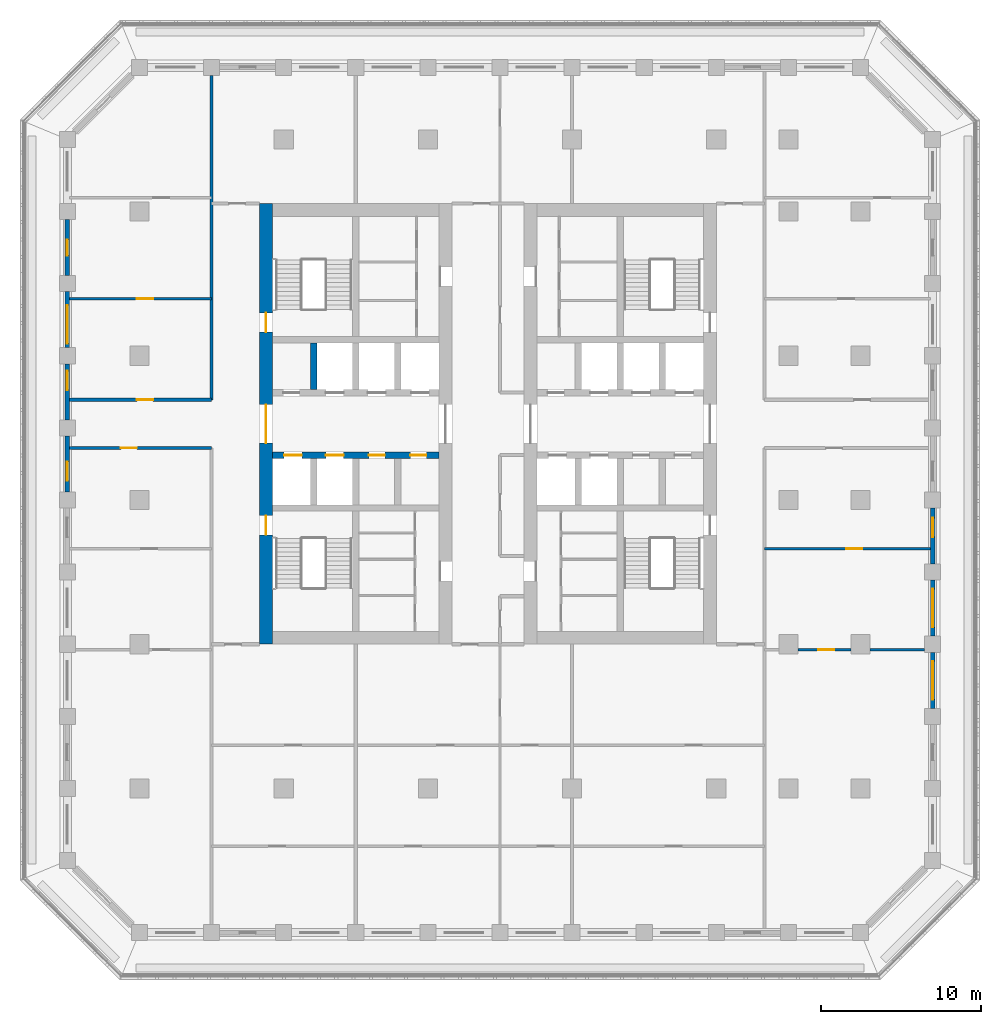
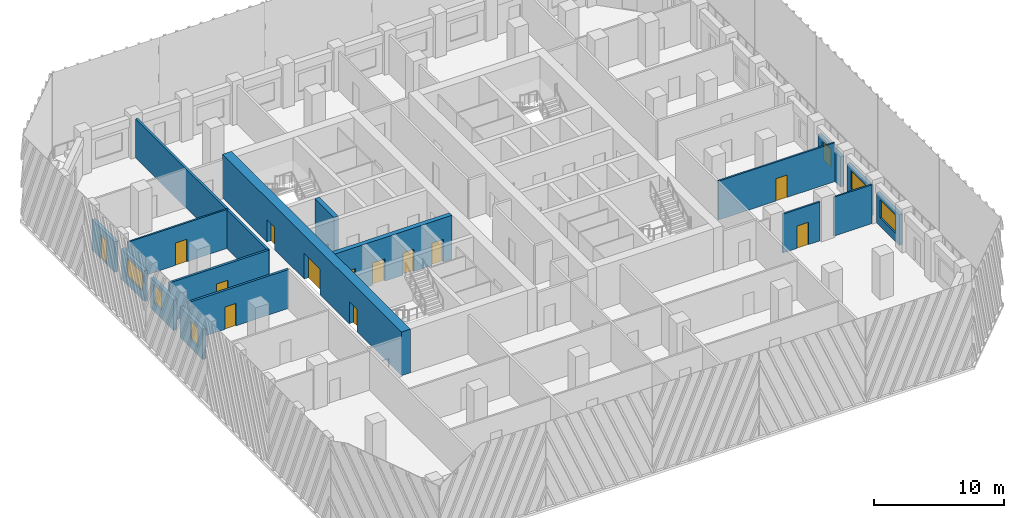
# One storey, part 5 of 17: 17 walls, 13 doors, 6 windows, 19 openings.
"""IFC4 building model written with IfcOpenShell, lengths in metres."""

from ifc_helpers import new_model, si_unit, direction, frame, frame_2d, origin, place, context, subcontext, project, spatial, rectangle, extrude, material, layer, layer_set, type_object, element, fill, save


model = new_model("IFC4")

# Units and contexts
model_context = context("Model", 3, precision=1e-05, world=origin(), true_north=direction((0.0, 1.0)))
body_context = subcontext(model_context, "Body", "Model", "MODEL_VIEW")
ifc_project = project(units=[si_unit("LENGTHUNIT", "METRE"), si_unit("AREAUNIT", "SQUARE_METRE"), si_unit("VOLUMEUNIT", "CUBIC_METRE"), si_unit("PLANEANGLEUNIT", "RADIAN"), si_unit("MASSUNIT", "GRAM", prefix="KILO")], contexts=[model_context])

# Site, building, storey
site_placement = place(None, origin())
site = spatial("IfcSite", under=ifc_project, at=site_placement, CompositionType="ELEMENT")
building_placement = place(site_placement, origin())
building = spatial("IfcBuilding", under=site, at=building_placement, Name="Corbel Stack Research Tower", CompositionType="ELEMENT")
storey_placement = place(building_placement, frame((0.0, 0.0, 207.89990234375)))
storey = spatial("IfcBuildingStorey", under=building, at=storey_placement, Name="L47", CompositionType="ELEMENT", Elevation=207.89990234375)

# Wall, openings, doors
ifc_material_1 = material(Name="Concrete C60/75", Category="concrete")
ifc_layer_1 = layer(ifc_material_1, 0.39990234375)
ifc_layer_set_1 = layer_set([ifc_layer_1], Name="Concrete C60/75")
wall_type_1 = type_object("IfcWallType", Name="CW-400-60", PredefinedType="SHEAR", material=ifc_layer_set_1)
wall_1_placement = place(storey_placement, frame((-9.699951171875, 2.800048828125, 0.0), z_axis=(0.0, 0.0, 1.0), x_axis=(1.0, 0.0, 0.0)))
wall_1 = element("IfcWall", 1, at=wall_1_placement, inside=storey, type_object=wall_type_1, Name="West core wall, lobby south L47", PredefinedType="SHEAR", context=body_context, shape_type="SweptSolid", body=[
    extrude(rectangle(XDim=10.39990234375, YDim=0.39990234375, at=frame_2d((5.199951171875, 0.0))), origin(), (0.0, 0.0, 1.0), 4.10009765625),
])
opening_1_placement = place(wall_1_placement, frame((0.737548828125, 0.0, 0.0)))
opening_1 = element("IfcOpeningElement", 2, at=opening_1_placement, cuts=wall_1, Name="Opening LD-FS1", PredefinedType="OPENING", context=body_context, shape_type="SweptSolid", body=[
    extrude(rectangle(XDim=1.10009765625, YDim=2.10009765625, at=frame_2d((0.550048828125, 1.050048828125))), frame((0.0, 0.2099609375, 0.0), z_axis=(0.0, -1.0, 0.0), x_axis=(1.0, 0.0, 0.0)), (0.0, 0.0, 1.0), 0.419921875),
])
opening_2_placement = place(wall_1_placement, frame((3.33740234375, 0.0, 0.0)))
opening_2 = element("IfcOpeningElement", 3, at=opening_2_placement, cuts=wall_1, Name="Opening LD-GL1", PredefinedType="OPENING", context=body_context, shape_type="SweptSolid", body=[
    extrude(rectangle(XDim=1.10009765625, YDim=2.10009765625, at=frame_2d((0.550048828125, 1.050048828125))), frame((0.0, 0.2099609375, 0.0), z_axis=(0.0, -1.0, 0.0), x_axis=(1.0, 0.0, 0.0)), (0.0, 0.0, 1.0), 0.419921875),
])
opening_3_placement = place(wall_1_placement, frame((6.012451171875, 0.0, 0.0)))
opening_3 = element("IfcOpeningElement", 4, at=opening_3_placement, cuts=wall_1, Name="Opening CR-W42-S3", PredefinedType="OPENING", context=body_context, shape_type="SweptSolid", body=[
    extrude(rectangle(XDim=1.0, YDim=2.10009765625, at=frame_2d((0.5, 1.050048828125))), frame((0.0, 0.2099609375, 0.0), z_axis=(0.0, -1.0, 0.0), x_axis=(1.0, 0.0, 0.0)), (0.0, 0.0, 1.0), 0.419921875),
])
opening_4_placement = place(wall_1_placement, frame((8.612548828125, 0.0, 0.0)))
opening_4 = element("IfcOpeningElement", 5, at=opening_4_placement, cuts=wall_1, Name="Opening CR-W42-S4", PredefinedType="OPENING", context=body_context, shape_type="SweptSolid", body=[
    extrude(rectangle(XDim=1.0, YDim=2.10009765625, at=frame_2d((0.5, 1.050048828125))), frame((0.0, 0.2099609375, 0.0), z_axis=(0.0, -1.0, 0.0), x_axis=(1.0, 0.0, 0.0)), (0.0, 0.0, 1.0), 0.419921875),
])
ifc_material_2 = material(Name="Stainless steel landing door", Category="steel")
door_type_1 = type_object("IfcDoorType", Name="Lift landing door 1100 x 2100", OperationType="DOUBLE_DOOR_SLIDING", PredefinedType="DOOR", material=ifc_material_2)
door_1_placement = place(opening_1_placement, origin())
door_1 = element("IfcDoor", 6, at=door_1_placement, inside=storey, type_object=door_type_1, Name="Landing door FS1", OperationType="DOUBLE_DOOR_SLIDING", OverallHeight=2.10009765625, OverallWidth=1.10009765625, PredefinedType="DOOR", context=body_context, shape_type="SweptSolid", body=[
    extrude(rectangle(XDim=1.10009765625, YDim=2.10009765625, at=frame_2d((0.550048828125, 1.050048828125))), frame((0.0, 0.02490234375, 0.0), z_axis=(0.0, -1.0, 0.0), x_axis=(1.0, 0.0, 0.0)), (0.0, 0.0, 1.0), 0.050048828125),
])
fill(opening_1, door_1)
door_2_placement = place(opening_2_placement, origin())
door_2 = element("IfcDoor", 7, at=door_2_placement, inside=storey, type_object=door_type_1, Name="Landing door GL1", OperationType="DOUBLE_DOOR_SLIDING", OverallHeight=2.10009765625, OverallWidth=1.10009765625, PredefinedType="DOOR", context=body_context, shape_type="SweptSolid", body=[
    extrude(rectangle(XDim=1.10009765625, YDim=2.10009765625, at=frame_2d((0.550048828125, 1.050048828125))), frame((0.0, 0.02490234375, 0.0), z_axis=(0.0, -1.0, 0.0), x_axis=(1.0, 0.0, 0.0)), (0.0, 0.0, 1.0), 0.050048828125),
])
fill(opening_2, door_2)
ifc_material_3 = material(Name="Painted steel door", Category="steel")
door_type_2 = type_object("IfcDoorType", Name="Service door 1000 x 2100 FD60 left hand", OperationType="SINGLE_SWING_LEFT", PredefinedType="DOOR", material=ifc_material_3)
door_3_placement = place(opening_3_placement, origin())
door_3 = element("IfcDoor", 8, at=door_3_placement, inside=storey, type_object=door_type_2, Name="Laboratory consumables store door W core", OperationType="SINGLE_SWING_LEFT", OverallHeight=2.10009765625, OverallWidth=1.0, PredefinedType="DOOR", context=body_context, shape_type="SweptSolid", body=[
    extrude(rectangle(XDim=1.0, YDim=2.10009765625, at=frame_2d((0.5, 1.050048828125))), frame((0.0, 0.02490234375, 0.0), z_axis=(0.0, -1.0, 0.0), x_axis=(1.0, 0.0, 0.0)), (0.0, 0.0, 1.0), 0.050048828125),
])
fill(opening_3, door_3)
ifc_material_4 = material(Name="Painted steel door", Category="steel")
door_type_3 = type_object("IfcDoorType", Name="Service door 1000 x 2100 FD60 right hand", OperationType="SINGLE_SWING_RIGHT", PredefinedType="DOOR", material=ifc_material_4)
door_4_placement = place(opening_4_placement, origin())
door_4 = element("IfcDoor", 9, at=door_4_placement, inside=storey, type_object=door_type_3, Name="Cleaner's store door W core", OperationType="SINGLE_SWING_RIGHT", OverallHeight=2.10009765625, OverallWidth=1.0, PredefinedType="DOOR", context=body_context, shape_type="SweptSolid", body=[
    extrude(rectangle(XDim=1.0, YDim=2.10009765625, at=frame_2d((0.5, 1.050048828125))), frame((0.0, 0.02490234375, 0.0), z_axis=(0.0, -1.0, 0.0), x_axis=(1.0, 0.0, 0.0)), (0.0, 0.0, 1.0), 0.050048828125),
])
fill(opening_4, door_4)

# Wall
wall_2_placement = place(storey_placement, frame((-7.125, 6.89990234375, 0.0), z_axis=(0.0, 0.0, 1.0), x_axis=(0.0, 1.0, 0.0)))
element("IfcWall", 10, at=wall_2_placement, inside=storey, type_object=wall_type_1, Name="West core wall, north shaft 1 L47", PredefinedType="SHEAR", context=body_context, shape_type="SweptSolid", body=[
    extrude(rectangle(XDim=2.900146484375, YDim=0.39990234375, at=frame_2d((1.4501953125, 0.0))), origin(), (0.0, 0.0, 1.0), 4.10009765625),
])

# Wall, openings, doors
ifc_material_5 = material(Name="Concrete C60/75", Category="concrete")
ifc_layer_2 = layer(ifc_material_5, 0.800048828125)
ifc_layer_set_2 = layer_set([ifc_layer_2], Name="Concrete C60/75")
wall_type_2 = type_object("IfcWallType", Name="CW-800-60", PredefinedType="SHEAR", material=ifc_layer_set_2)
wall_3_placement = place(storey_placement, frame((-10.10009765625, -9.0, 0.0), z_axis=(0.0, 0.0, 1.0), x_axis=(0.0, 1.0, 0.0)))
wall_3 = element("IfcWall", 11, at=wall_3_placement, inside=storey, type_object=wall_type_2, Name="West core wall, west face L47", PredefinedType="SHEAR", context=body_context, shape_type="SweptSolid", body=[
    extrude(rectangle(XDim=27.5, YDim=0.800048828125, at=frame_2d((13.75, 0.0))), origin(), (0.0, 0.0, 1.0), 4.10009765625),
])
opening_5_placement = place(wall_3_placement, frame((12.550048828125, 0.0, 0.0)))
opening_5 = element("IfcOpeningElement", 12, at=opening_5_placement, cuts=wall_3, Name="Opening CD-W-W", PredefinedType="OPENING", context=body_context, shape_type="SweptSolid", body=[
    extrude(rectangle(XDim=2.39990234375, YDim=2.39990234375, at=frame_2d((1.199951171875, 1.199951171875))), frame((0.0, 0.409912109375, 0.0), z_axis=(0.0, -1.0, 0.0), x_axis=(1.0, 0.0, 0.0)), (0.0, 0.0, 1.0), 0.820068359375),
])
opening_6_placement = place(wall_3_placement, frame((6.824951171875, 0.0, 0.0)))
opening_6 = element("IfcOpeningElement", 13, at=opening_6_placement, cuts=wall_3, Name="Opening SD-ST-W1", PredefinedType="OPENING", context=body_context, shape_type="SweptSolid", body=[
    extrude(rectangle(XDim=1.199951171875, YDim=2.10009765625, at=frame_2d((0.60009765625, 1.050048828125))), frame((0.0, 0.409912109375, 0.0), z_axis=(0.0, -1.0, 0.0), x_axis=(1.0, 0.0, 0.0)), (0.0, 0.0, 1.0), 0.820068359375),
])
opening_7_placement = place(wall_3_placement, frame((19.47509765625, 0.0, 0.0)))
opening_7 = element("IfcOpeningElement", 14, at=opening_7_placement, cuts=wall_3, Name="Opening SD-ST-W2", PredefinedType="OPENING", context=body_context, shape_type="SweptSolid", body=[
    extrude(rectangle(XDim=1.199951171875, YDim=2.10009765625, at=frame_2d((0.60009765625, 1.050048828125))), frame((0.0, 0.409912109375, 0.0), z_axis=(0.0, -1.0, 0.0), x_axis=(1.0, 0.0, 0.0)), (0.0, 0.0, 1.0), 0.820068359375),
])
ifc_material_6 = material(Name="Painted steel fire door", Category="steel")
door_type_4 = type_object("IfcDoorType", Name="Lobby door pair 2400 x 2400 FD30S", OperationType="DOUBLE_DOOR_DOUBLE_SWING", PredefinedType="DOOR", material=ifc_material_6)
door_5_placement = place(opening_5_placement, origin())
door_5 = element("IfcDoor", 15, at=door_5_placement, inside=storey, type_object=door_type_4, Name="Lift lobby door W core W", OperationType="DOUBLE_DOOR_DOUBLE_SWING", OverallHeight=2.39990234375, OverallWidth=2.39990234375, PredefinedType="DOOR", context=body_context, shape_type="SweptSolid", body=[
    extrude(rectangle(XDim=2.39990234375, YDim=2.39990234375, at=frame_2d((1.199951171875, 1.199951171875))), frame((0.0, 0.02490234375, 0.0), z_axis=(0.0, -1.0, 0.0), x_axis=(1.0, 0.0, 0.0)), (0.0, 0.0, 1.0), 0.050048828125),
])
fill(opening_5, door_5)
ifc_material_7 = material(Name="Painted steel fire door", Category="steel")
door_type_5 = type_object("IfcDoorType", Name="Stair door 1200 x 2100 FD90 left hand", OperationType="SINGLE_SWING_LEFT", PredefinedType="DOOR", material=ifc_material_7)
door_6_placement = place(opening_6_placement, origin())
door_6 = element("IfcDoor", 16, at=door_6_placement, inside=storey, type_object=door_type_5, Name="Stair door ST-W1", OperationType="SINGLE_SWING_LEFT", OverallHeight=2.10009765625, OverallWidth=1.199951171875, PredefinedType="DOOR", context=body_context, shape_type="SweptSolid", body=[
    extrude(rectangle(XDim=1.199951171875, YDim=2.10009765625, at=frame_2d((0.60009765625, 1.050048828125))), frame((0.0, 0.02490234375, 0.0), z_axis=(0.0, -1.0, 0.0), x_axis=(1.0, 0.0, 0.0)), (0.0, 0.0, 1.0), 0.050048828125),
])
fill(opening_6, door_6)
door_7_placement = place(opening_7_placement, origin())
door_7 = element("IfcDoor", 17, at=door_7_placement, inside=storey, type_object=door_type_5, Name="Stair door ST-W2", OperationType="SINGLE_SWING_LEFT", OverallHeight=2.10009765625, OverallWidth=1.199951171875, PredefinedType="DOOR", context=body_context, shape_type="SweptSolid", body=[
    extrude(rectangle(XDim=1.199951171875, YDim=2.10009765625, at=frame_2d((0.60009765625, 1.050048828125))), frame((0.0, 0.02490234375, 0.0), z_axis=(0.0, -1.0, 0.0), x_axis=(1.0, 0.0, 0.0)), (0.0, 0.0, 1.0), 0.050048828125),
])
fill(opening_7, door_7)

# Wall
ifc_material_8 = material(Name="Fire-rated gypsum board partition on steel studs", Category="steel")
ifc_layer_3 = layer(ifc_material_8, 0.199951171875)
ifc_layer_set_3 = layer_set([ifc_layer_3], Name="Fire-rated gypsum board partition on steel studs")
wall_type_3 = type_object("IfcWallType", Name="Fire-rated partition 200 EI 60", PredefinedType="PARTITIONING", material=ifc_layer_set_3)
wall_4_placement = place(storey_placement, frame((-13.5, 6.25, 0.0), z_axis=(0.0, 0.0, 1.0), x_axis=(0.0, 1.0, 0.0)))
element("IfcWall", 18, at=wall_4_placement, inside=storey, type_object=wall_type_3, Name="Partition L47-002", PredefinedType="PARTITIONING", context=body_context, shape_type="SweptSolid", body=[
    extrude(rectangle(XDim=20.25, YDim=0.199951171875, at=frame_2d((10.125, 0.0))), origin(), (0.0, 0.0, 1.0), 3.650146484375),
])

# Wall, opening, door
wall_5_placement = place(storey_placement, frame((-13.5, 3.25, 0.0), z_axis=(0.0, 0.0, 1.0), x_axis=(-1.0, 0.0, 0.0)))
wall_5 = element("IfcWall", 19, at=wall_5_placement, inside=storey, type_object=wall_type_3, Name="Partition L47-031", PredefinedType="PARTITIONING", context=body_context, shape_type="SweptSolid", body=[
    extrude(rectangle(XDim=8.85009765625, YDim=0.199951171875, at=frame_2d((4.425048828125, 0.0))), origin(), (0.0, 0.0, 1.0), 3.650146484375),
])
opening_8_placement = place(wall_5_placement, frame((4.64990234375, 0.0, 0.0)))
opening_8 = element("IfcOpeningElement", 20, at=opening_8_placement, cuts=wall_5, Name="Opening B6V1-016", PredefinedType="OPENING", context=body_context, shape_type="SweptSolid", body=[
    extrude(rectangle(XDim=1.0, YDim=2.10009765625, at=frame_2d((0.5, 1.050048828125))), frame((0.0, 0.10986328125, 0.0), z_axis=(0.0, -1.0, 0.0), x_axis=(1.0, 0.0, 0.0)), (0.0, 0.0, 1.0), 0.219970703125),
])
ifc_material_9 = material(Name="Painted steel fire door", Category="steel")
door_type_6 = type_object("IfcDoorType", Name="Fire door FD30S 1000 x 2100", OperationType="NOTDEFINED", PredefinedType="DOOR", material=ifc_material_9)
door_8_placement = place(opening_8_placement, origin())
door_8 = element("IfcDoor", 21, at=door_8_placement, inside=storey, type_object=door_type_6, Name="Door B6V1-016", OperationType="SINGLE_SWING_RIGHT", OverallHeight=2.10009765625, OverallWidth=1.0, PredefinedType="DOOR", context=body_context, shape_type="SweptSolid", body=[
    extrude(rectangle(XDim=1.0, YDim=2.10009765625, at=frame_2d((0.5, 1.050048828125))), frame((0.0, 0.02490234375, 0.0), z_axis=(0.0, -1.0, 0.0), x_axis=(1.0, 0.0, 0.0)), (0.0, 0.0, 1.0), 0.050048828125),
])
fill(opening_8, door_8)

wall_6_placement = place(storey_placement, frame((-22.35009765625, 6.25, 0.0), z_axis=(0.0, 0.0, 1.0), x_axis=(1.0, 0.0, 0.0)))
wall_6 = element("IfcWall", 22, at=wall_6_placement, inside=storey, type_object=wall_type_3, Name="Partition L47-033", PredefinedType="PARTITIONING", context=body_context, shape_type="SweptSolid", body=[
    extrude(rectangle(XDim=8.85009765625, YDim=0.199951171875, at=frame_2d((4.425048828125, 0.0))), origin(), (0.0, 0.0, 1.0), 3.650146484375),
])
opening_9_placement = place(wall_6_placement, frame((4.199951171875, 0.0, 0.0)))
opening_9 = element("IfcOpeningElement", 23, at=opening_9_placement, cuts=wall_6, Name="Opening B6V1-023", PredefinedType="OPENING", context=body_context, shape_type="SweptSolid", body=[
    extrude(rectangle(XDim=1.0, YDim=2.10009765625, at=frame_2d((0.5, 1.050048828125))), frame((0.0, 0.10986328125, 0.0), z_axis=(0.0, -1.0, 0.0), x_axis=(1.0, 0.0, 0.0)), (0.0, 0.0, 1.0), 0.219970703125),
])
door_9_placement = place(opening_9_placement, origin())
door_9 = element("IfcDoor", 24, at=door_9_placement, inside=storey, type_object=door_type_6, Name="Door B6V1-023", OperationType="SINGLE_SWING_RIGHT", OverallHeight=2.10009765625, OverallWidth=1.0, PredefinedType="DOOR", context=body_context, shape_type="SweptSolid", body=[
    extrude(rectangle(XDim=1.0, YDim=2.10009765625, at=frame_2d((0.5, 1.050048828125))), frame((0.0, 0.02490234375, 0.0), z_axis=(0.0, -1.0, 0.0), x_axis=(1.0, 0.0, 0.0)), (0.0, 0.0, 1.0), 0.050048828125),
])
fill(opening_9, door_9)

ifc_material_10 = material(Name="Gypsum board partition on steel studs", Category="steel")
ifc_layer_4 = layer(ifc_material_10, 0.14990234375)
ifc_layer_set_4 = layer_set([ifc_layer_4], Name="Gypsum board partition on steel studs")
wall_type_4 = type_object("IfcWallType", Name="Partition 150", PredefinedType="PARTITIONING", material=ifc_layer_set_4)
wall_7_placement = place(storey_placement, frame((26.39990234375, -9.35009765625, 0.0), z_axis=(0.0, 0.0, 1.0), x_axis=(-1.0, 0.0, 0.0)))
wall_7 = element("IfcWall", 25, at=wall_7_placement, inside=storey, type_object=wall_type_4, Name="Partition L47-021", PredefinedType="PARTITIONING", context=body_context, shape_type="SweptSolid", body=[
    extrude(rectangle(XDim=3.2998046875, YDim=0.14990234375, at=frame_2d((1.64990234375, 0.0))), origin(), (0.0, 0.0, 1.0), 3.650146484375),
])
opening_10_placement = place(wall_7_placement, frame((1.050048828125, 0.0, 0.0)))
opening_10 = element("IfcOpeningElement", 26, at=opening_10_placement, cuts=wall_7, Name="Opening B6V1-010", PredefinedType="OPENING", context=body_context, shape_type="SweptSolid", body=[
    extrude(rectangle(XDim=1.0, YDim=2.10009765625, at=frame_2d((0.5, 1.050048828125))), frame((0.0, 0.0849609375, 0.0), z_axis=(0.0, -1.0, 0.0), x_axis=(1.0, 0.0, 0.0)), (0.0, 0.0, 1.0), 0.169921875),
])
ifc_material_11 = material(Name="Painted timber door", Category="wood")
door_type_7 = type_object("IfcDoorType", Name="Single door 1000 x 2100", OperationType="NOTDEFINED", PredefinedType="DOOR", material=ifc_material_11)
door_10_placement = place(opening_10_placement, origin())
door_10 = element("IfcDoor", 27, at=door_10_placement, inside=storey, type_object=door_type_7, Name="Door B6V1-010", OperationType="SINGLE_SWING_LEFT", OverallHeight=2.10009765625, OverallWidth=1.0, PredefinedType="DOOR", context=body_context, shape_type="SweptSolid", body=[
    extrude(rectangle(XDim=1.0, YDim=2.10009765625, at=frame_2d((0.5, 1.050048828125))), frame((0.0, 0.02490234375, 0.0), z_axis=(0.0, -1.0, 0.0), x_axis=(1.0, 0.0, 0.0)), (0.0, 0.0, 1.0), 0.050048828125),
])
fill(opening_10, door_10)

# Wall
wall_8_placement = place(storey_placement, frame((27.60009765625, -9.35009765625, 0.0), z_axis=(0.0, 0.0, 1.0), x_axis=(1.0, 0.0, 0.0)))
element("IfcWall", 28, at=wall_8_placement, inside=storey, type_object=wall_type_4, Name="Partition L47-022", PredefinedType="PARTITIONING", context=body_context, shape_type="SweptSolid", body=[
    extrude(rectangle(XDim=3.39990234375, YDim=0.14990234375, at=frame_2d((1.699951171875, 0.0))), origin(), (0.0, 0.0, 1.0), 3.650146484375),
])

# Wall, opening, door
wall_9_placement = place(storey_placement, frame((31.35009765625, -3.050048828125, 0.0), z_axis=(0.0, 0.0, 1.0), x_axis=(-1.0, 0.0, 0.0)))
wall_9 = element("IfcWall", 29, at=wall_9_placement, inside=storey, type_object=wall_type_4, Name="Partition L47-029", PredefinedType="PARTITIONING", context=body_context, shape_type="SweptSolid", body=[
    extrude(rectangle(XDim=10.35009765625, YDim=0.14990234375, at=frame_2d((5.175048828125, 0.0))), origin(), (0.0, 0.0, 1.0), 3.650146484375),
])
opening_11_placement = place(wall_9_placement, frame((4.25, 0.0, 0.0)))
opening_11 = element("IfcOpeningElement", 30, at=opening_11_placement, cuts=wall_9, Name="Opening B6V1-015", PredefinedType="OPENING", context=body_context, shape_type="SweptSolid", body=[
    extrude(rectangle(XDim=1.0, YDim=2.10009765625, at=frame_2d((0.5, 1.050048828125))), frame((0.0, 0.0849609375, 0.0), z_axis=(0.0, -1.0, 0.0), x_axis=(1.0, 0.0, 0.0)), (0.0, 0.0, 1.0), 0.169921875),
])
door_11_placement = place(opening_11_placement, origin())
door_11 = element("IfcDoor", 31, at=door_11_placement, inside=storey, type_object=door_type_7, Name="Door B6V1-015", OperationType="SINGLE_SWING_LEFT", OverallHeight=2.10009765625, OverallWidth=1.0, PredefinedType="DOOR", context=body_context, shape_type="SweptSolid", body=[
    extrude(rectangle(XDim=1.0, YDim=2.10009765625, at=frame_2d((0.5, 1.050048828125))), frame((0.0, 0.02490234375, 0.0), z_axis=(0.0, -1.0, 0.0), x_axis=(1.0, 0.0, 0.0)), (0.0, 0.0, 1.0), 0.050048828125),
])
fill(opening_11, door_11)

wall_10_placement = place(storey_placement, frame((-22.35009765625, 12.550048828125, 0.0), z_axis=(0.0, 0.0, 1.0), x_axis=(1.0, 0.0, 0.0)))
wall_10 = element("IfcWall", 32, at=wall_10_placement, inside=storey, type_object=wall_type_4, Name="Partition L47-036", PredefinedType="PARTITIONING", context=body_context, shape_type="SweptSolid", body=[
    extrude(rectangle(XDim=8.85009765625, YDim=0.14990234375, at=frame_2d((4.425048828125, 0.0))), origin(), (0.0, 0.0, 1.0), 3.650146484375),
])
opening_12_placement = place(wall_10_placement, frame((4.199951171875, 0.0, 0.0)))
opening_12 = element("IfcOpeningElement", 33, at=opening_12_placement, cuts=wall_10, Name="Opening B6V1-025", PredefinedType="OPENING", context=body_context, shape_type="SweptSolid", body=[
    extrude(rectangle(XDim=1.0, YDim=2.10009765625, at=frame_2d((0.5, 1.050048828125))), frame((0.0, 0.0849609375, 0.0), z_axis=(0.0, -1.0, 0.0), x_axis=(1.0, 0.0, 0.0)), (0.0, 0.0, 1.0), 0.169921875),
])
door_12_placement = place(opening_12_placement, origin())
door_12 = element("IfcDoor", 34, at=door_12_placement, inside=storey, type_object=door_type_7, Name="Door B6V1-025", OperationType="SINGLE_SWING_RIGHT", OverallHeight=2.10009765625, OverallWidth=1.0, PredefinedType="DOOR", context=body_context, shape_type="SweptSolid", body=[
    extrude(rectangle(XDim=1.0, YDim=2.10009765625, at=frame_2d((0.5, 1.050048828125))), frame((0.0, 0.02490234375, 0.0), z_axis=(0.0, -1.0, 0.0), x_axis=(1.0, 0.0, 0.0)), (0.0, 0.0, 1.0), 0.050048828125),
])
fill(opening_12, door_12)

# Wall, opening, window
ifc_material_12 = material(Name="Concrete C45/55", Category="concrete")
ifc_layer_5 = layer(ifc_material_12, 0.300048828125)
ifc_layer_set_5 = layer_set([ifc_layer_5], Name="Concrete C45/55")
wall_type_5 = type_object("IfcWallType", Name="Terracotta-faced concrete wall 300", PredefinedType="SOLIDWALL", material=ifc_layer_set_5)
wall_11_placement = place(storey_placement, frame((31.5, -9.5, 0.0), z_axis=(0.0, 0.0, 1.0), x_axis=(0.0, -1.0, 0.0)))
wall_11 = element("IfcWall", 35, at=wall_11_placement, inside=storey, type_object=wall_type_5, Name="Facade wall L47 E03", PredefinedType="SOLIDWALL", context=body_context, shape_type="SweptSolid", body=[
    extrude(rectangle(XDim=3.5, YDim=0.300048828125, at=frame_2d((1.75, 0.0))), origin(), (0.0, 0.0, 1.0), 2.85009765625),
])
opening_13_placement = place(wall_11_placement, frame((0.550048828125, 0.0, 0.800048828125)))
opening_13 = element("IfcOpeningElement", 36, at=opening_13_placement, cuts=wall_11, Name="Opening W1", PredefinedType="OPENING", context=body_context, shape_type="SweptSolid", body=[
    extrude(rectangle(XDim=2.39990234375, YDim=1.699951171875, at=frame_2d((1.199951171875, 0.85009765625))), frame((0.0, 0.159912109375, 0.0), z_axis=(0.0, -1.0, 0.0), x_axis=(1.0, 0.0, 0.0)), (0.0, 0.0, 1.0), 0.320068359375),
])
ifc_material_13 = material(Name="Aluminium frame, clear double glazing", Category="aluminium")
window_type_1 = type_object("IfcWindowType", Name="Window W1 2400 x 1700", PartitioningType="SINGLE_PANEL", PredefinedType="WINDOW", material=ifc_material_13)
window_1_placement = place(opening_13_placement, origin())
window_1 = element("IfcWindow", 37, at=window_1_placement, inside=storey, type_object=window_type_1, Name="Window W1 L47 E03", OverallHeight=1.699951171875, OverallWidth=2.39990234375, PartitioningType="SINGLE_PANEL", PredefinedType="WINDOW", context=body_context, shape_type="SweptSolid", body=[
    extrude(rectangle(XDim=2.39990234375, YDim=1.699951171875, at=frame_2d((1.199951171875, 0.85009765625))), frame((0.0, 0.030029296875, 0.0), z_axis=(0.0, -1.0, 0.0), x_axis=(1.0, 0.0, 0.0)), (0.0, 0.0, 1.0), 0.06005859375),
])
fill(opening_13, window_1)

wall_12_placement = place(storey_placement, frame((31.5, -5.0, 0.0), z_axis=(0.0, 0.0, 1.0), x_axis=(0.0, -1.0, 0.0)))
wall_12 = element("IfcWall", 38, at=wall_12_placement, inside=storey, type_object=wall_type_5, Name="Facade wall L47 E04", PredefinedType="SOLIDWALL", context=body_context, shape_type="SweptSolid", body=[
    extrude(rectangle(XDim=3.5, YDim=0.300048828125, at=frame_2d((1.75, 0.0))), origin(), (0.0, 0.0, 1.0), 2.85009765625),
])
opening_14_placement = place(wall_12_placement, frame((0.550048828125, 0.0, 0.800048828125)))
opening_14 = element("IfcOpeningElement", 39, at=opening_14_placement, cuts=wall_12, Name="Opening W1", PredefinedType="OPENING", context=body_context, shape_type="SweptSolid", body=[
    extrude(rectangle(XDim=2.39990234375, YDim=1.699951171875, at=frame_2d((1.199951171875, 0.85009765625))), frame((0.0, 0.159912109375, 0.0), z_axis=(0.0, -1.0, 0.0), x_axis=(1.0, 0.0, 0.0)), (0.0, 0.0, 1.0), 0.320068359375),
])
window_2_placement = place(opening_14_placement, origin())
window_2 = element("IfcWindow", 40, at=window_2_placement, inside=storey, type_object=window_type_1, Name="Window W1 L47 E04", OverallHeight=1.699951171875, OverallWidth=2.39990234375, PartitioningType="SINGLE_PANEL", PredefinedType="WINDOW", context=body_context, shape_type="SweptSolid", body=[
    extrude(rectangle(XDim=2.39990234375, YDim=1.699951171875, at=frame_2d((1.199951171875, 0.85009765625))), frame((0.0, 0.030029296875, 0.0), z_axis=(0.0, -1.0, 0.0), x_axis=(1.0, 0.0, 0.0)), (0.0, 0.0, 1.0), 0.06005859375),
])
fill(opening_14, window_2)

wall_13_placement = place(storey_placement, frame((31.5, -0.5, 0.0), z_axis=(0.0, 0.0, 1.0), x_axis=(0.0, -1.0, 0.0)))
wall_13 = element("IfcWall", 41, at=wall_13_placement, inside=storey, type_object=wall_type_5, Name="Facade wall L47 E05", PredefinedType="SOLIDWALL", context=body_context, shape_type="SweptSolid", body=[
    extrude(rectangle(XDim=3.5, YDim=0.300048828125, at=frame_2d((1.75, 0.0))), origin(), (0.0, 0.0, 1.0), 2.85009765625),
])
opening_15_placement = place(wall_13_placement, frame((0.612548828125, 0.0, 0.800048828125)))
opening_15 = element("IfcOpeningElement", 42, at=opening_15_placement, cuts=wall_13, Name="Opening W2", PredefinedType="OPENING", context=body_context, shape_type="SweptSolid", body=[
    extrude(rectangle(XDim=1.199951171875, YDim=1.699951171875, at=frame_2d((0.60009765625, 0.85009765625))), frame((0.0, 0.159912109375, 0.0), z_axis=(0.0, -1.0, 0.0), x_axis=(1.0, 0.0, 0.0)), (0.0, 0.0, 1.0), 0.320068359375),
])
ifc_material_14 = material(Name="Aluminium frame, clear double glazing", Category="aluminium")
window_type_2 = type_object("IfcWindowType", Name="Window W2 1200 x 1700", PartitioningType="SINGLE_PANEL", PredefinedType="WINDOW", material=ifc_material_14)
window_3_placement = place(opening_15_placement, origin())
window_3 = element("IfcWindow", 43, at=window_3_placement, inside=storey, type_object=window_type_2, Name="Window W2 L47 E05", OverallHeight=1.699951171875, OverallWidth=1.199951171875, PartitioningType="SINGLE_PANEL", PredefinedType="WINDOW", context=body_context, shape_type="SweptSolid", body=[
    extrude(rectangle(XDim=1.199951171875, YDim=1.699951171875, at=frame_2d((0.60009765625, 0.85009765625))), frame((0.0, 0.030029296875, 0.0), z_axis=(0.0, -1.0, 0.0), x_axis=(1.0, 0.0, 0.0)), (0.0, 0.0, 1.0), 0.06005859375),
])
fill(opening_15, window_3)

# Wall, opening, door
wall_14_placement = place(storey_placement, frame((-22.5, 14.0, 0.0), z_axis=(0.0, 0.0, 1.0), x_axis=(0.0, 1.0, 0.0)))
wall_14 = element("IfcWall", 44, at=wall_14_placement, inside=storey, type_object=wall_type_5, Name="Facade wall L47 W02", PredefinedType="SOLIDWALL", context=body_context, shape_type="SweptSolid", body=[
    extrude(rectangle(XDim=3.5, YDim=0.300048828125, at=frame_2d((1.75, 0.0))), origin(), (0.0, 0.0, 1.0), 2.85009765625),
])
opening_16_placement = place(wall_14_placement, frame((1.25, 0.0, 0.0)))
opening_16 = element("IfcOpeningElement", 45, at=opening_16_placement, cuts=wall_14, Name="Opening L47-B10", PredefinedType="OPENING", context=body_context, shape_type="SweptSolid", body=[
    extrude(rectangle(XDim=1.0, YDim=2.199951171875, at=frame_2d((0.5, 1.10009765625))), frame((0.0, 0.159912109375, 0.0), z_axis=(0.0, -1.0, 0.0), x_axis=(1.0, 0.0, 0.0)), (0.0, 0.0, 1.0), 0.320068359375),
])
ifc_material_15 = material(Name="Aluminium frame, clear double glazing", Category="aluminium")
door_type_8 = type_object("IfcDoorType", Name="Balcony door BD1 1000 x 2200", OperationType="NOTDEFINED", PredefinedType="DOOR", material=ifc_material_15)
door_13_placement = place(opening_16_placement, origin())
door_13 = element("IfcDoor", 46, at=door_13_placement, inside=storey, type_object=door_type_8, Name="Balcony door L47-B10", OperationType="SINGLE_SWING_LEFT", OverallHeight=2.199951171875, OverallWidth=1.0, PredefinedType="DOOR", context=body_context, shape_type="SweptSolid", body=[
    extrude(rectangle(XDim=1.0, YDim=2.199951171875, at=frame_2d((0.5, 1.10009765625))), frame((0.0, 0.02490234375, 0.0), z_axis=(0.0, -1.0, 0.0), x_axis=(1.0, 0.0, 0.0)), (0.0, 0.0, 1.0), 0.050048828125),
])
fill(opening_16, door_13)

# Wall, opening, window
wall_15_placement = place(storey_placement, frame((-22.5, 9.5, 0.0), z_axis=(0.0, 0.0, 1.0), x_axis=(0.0, 1.0, 0.0)))
wall_15 = element("IfcWall", 47, at=wall_15_placement, inside=storey, type_object=wall_type_5, Name="Facade wall L47 W03", PredefinedType="SOLIDWALL", context=body_context, shape_type="SweptSolid", body=[
    extrude(rectangle(XDim=3.5, YDim=0.300048828125, at=frame_2d((1.75, 0.0))), origin(), (0.0, 0.0, 1.0), 2.85009765625),
])
opening_17_placement = place(wall_15_placement, frame((0.262451171875, 0.0, 0.800048828125)))
opening_17 = element("IfcOpeningElement", 48, at=opening_17_placement, cuts=wall_15, Name="Opening W1", PredefinedType="OPENING", context=body_context, shape_type="SweptSolid", body=[
    extrude(rectangle(XDim=2.39990234375, YDim=1.699951171875, at=frame_2d((1.199951171875, 0.85009765625))), frame((0.0, 0.159912109375, 0.0), z_axis=(0.0, -1.0, 0.0), x_axis=(1.0, 0.0, 0.0)), (0.0, 0.0, 1.0), 0.320068359375),
])
window_4_placement = place(opening_17_placement, origin())
window_4 = element("IfcWindow", 49, at=window_4_placement, inside=storey, type_object=window_type_1, Name="Window W1 L47 W03", OverallHeight=1.699951171875, OverallWidth=2.39990234375, PartitioningType="SINGLE_PANEL", PredefinedType="WINDOW", context=body_context, shape_type="SweptSolid", body=[
    extrude(rectangle(XDim=2.39990234375, YDim=1.699951171875, at=frame_2d((1.199951171875, 0.85009765625))), frame((0.0, 0.030029296875, 0.0), z_axis=(0.0, -1.0, 0.0), x_axis=(1.0, 0.0, 0.0)), (0.0, 0.0, 1.0), 0.06005859375),
])
fill(opening_17, window_4)

wall_16_placement = place(storey_placement, frame((-22.5, 5.0, 0.0), z_axis=(0.0, 0.0, 1.0), x_axis=(0.0, 1.0, 0.0)))
wall_16 = element("IfcWall", 50, at=wall_16_placement, inside=storey, type_object=wall_type_5, Name="Facade wall L47 W04", PredefinedType="SOLIDWALL", context=body_context, shape_type="SweptSolid", body=[
    extrude(rectangle(XDim=3.5, YDim=0.300048828125, at=frame_2d((1.75, 0.0))), origin(), (0.0, 0.0, 1.0), 2.85009765625),
])
opening_18_placement = place(wall_16_placement, frame((1.85009765625, 0.0, 0.800048828125)))
opening_18 = element("IfcOpeningElement", 51, at=opening_18_placement, cuts=wall_16, Name="Opening W2", PredefinedType="OPENING", context=body_context, shape_type="SweptSolid", body=[
    extrude(rectangle(XDim=1.199951171875, YDim=1.699951171875, at=frame_2d((0.60009765625, 0.85009765625))), frame((0.0, 0.159912109375, 0.0), z_axis=(0.0, -1.0, 0.0), x_axis=(1.0, 0.0, 0.0)), (0.0, 0.0, 1.0), 0.320068359375),
])
window_5_placement = place(opening_18_placement, origin())
window_5 = element("IfcWindow", 52, at=window_5_placement, inside=storey, type_object=window_type_2, Name="Window W2 L47 W04", OverallHeight=1.699951171875, OverallWidth=1.199951171875, PartitioningType="SINGLE_PANEL", PredefinedType="WINDOW", context=body_context, shape_type="SweptSolid", body=[
    extrude(rectangle(XDim=1.199951171875, YDim=1.699951171875, at=frame_2d((0.60009765625, 0.85009765625))), frame((0.0, 0.030029296875, 0.0), z_axis=(0.0, -1.0, 0.0), x_axis=(1.0, 0.0, 0.0)), (0.0, 0.0, 1.0), 0.06005859375),
])
fill(opening_18, window_5)

wall_17_placement = place(storey_placement, frame((-22.5, 0.5, 0.0), z_axis=(0.0, 0.0, 1.0), x_axis=(0.0, 1.0, 0.0)))
wall_17 = element("IfcWall", 53, at=wall_17_placement, inside=storey, type_object=wall_type_5, Name="Facade wall L47 W05", PredefinedType="SOLIDWALL", context=body_context, shape_type="SweptSolid", body=[
    extrude(rectangle(XDim=3.5, YDim=0.300048828125, at=frame_2d((1.75, 0.0))), origin(), (0.0, 0.0, 1.0), 2.85009765625),
])
opening_19_placement = place(wall_17_placement, frame((0.699951171875, 0.0, 0.800048828125)))
opening_19 = element("IfcOpeningElement", 54, at=opening_19_placement, cuts=wall_17, Name="Opening W2", PredefinedType="OPENING", context=body_context, shape_type="SweptSolid", body=[
    extrude(rectangle(XDim=1.199951171875, YDim=1.699951171875, at=frame_2d((0.60009765625, 0.85009765625))), frame((0.0, 0.159912109375, 0.0), z_axis=(0.0, -1.0, 0.0), x_axis=(1.0, 0.0, 0.0)), (0.0, 0.0, 1.0), 0.320068359375),
])
window_6_placement = place(opening_19_placement, origin())
window_6 = element("IfcWindow", 55, at=window_6_placement, inside=storey, type_object=window_type_2, Name="Window W2 L47 W05", OverallHeight=1.699951171875, OverallWidth=1.199951171875, PartitioningType="SINGLE_PANEL", PredefinedType="WINDOW", context=body_context, shape_type="SweptSolid", body=[
    extrude(rectangle(XDim=1.199951171875, YDim=1.699951171875, at=frame_2d((0.60009765625, 0.85009765625))), frame((0.0, 0.030029296875, 0.0), z_axis=(0.0, -1.0, 0.0), x_axis=(1.0, 0.0, 0.0)), (0.0, 0.0, 1.0), 0.06005859375),
])
fill(opening_19, window_6)

save(model, "model.ifc")
